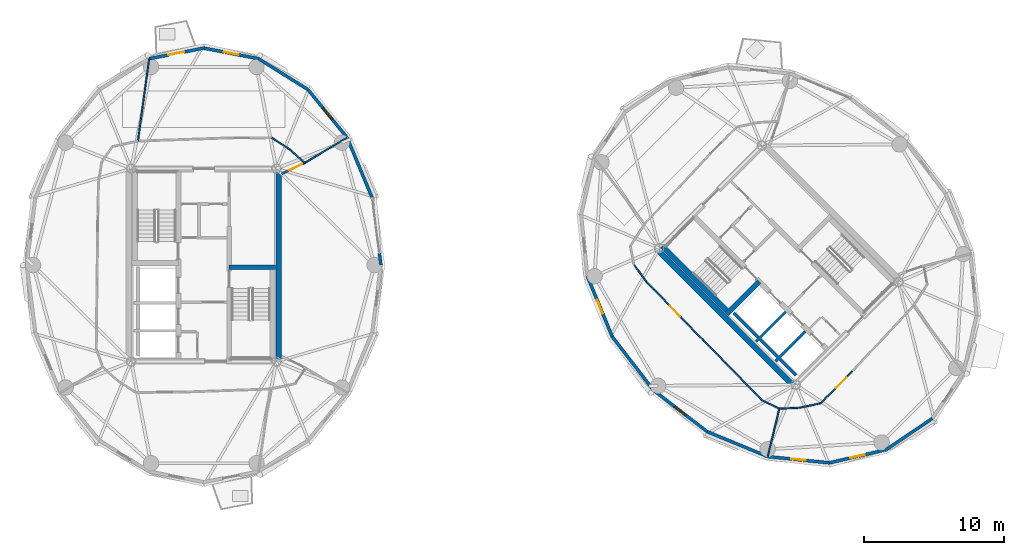
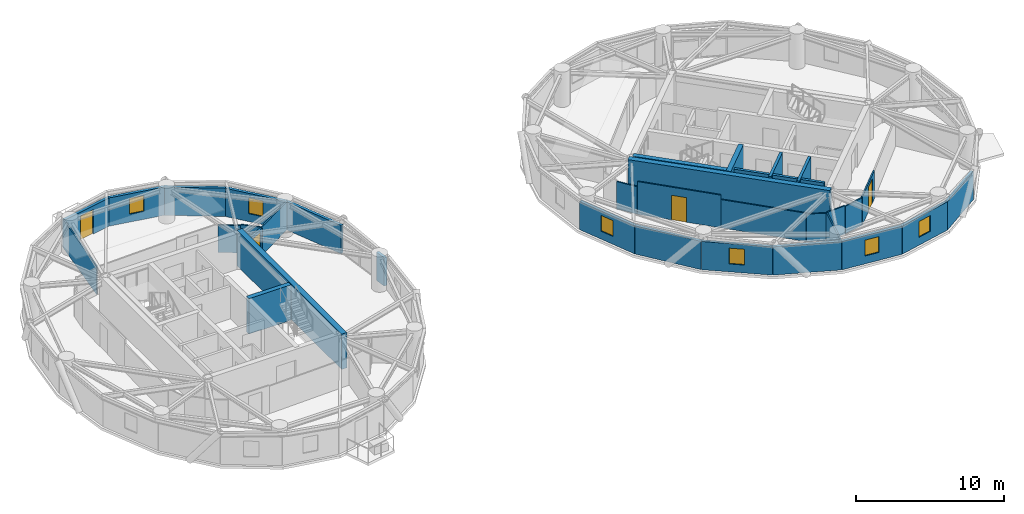
# One storey, part 9 of 15: 36 walls, 6 windows, 4 doors, 10 openings.
"""IFC4 building model written with IfcOpenShell, lengths in metres."""

from ifc_helpers import new_model, si_unit, direction, frame, frame_2d, origin, place, context, subcontext, project, spatial, rectangle, extrude, source, transform, mapped, material, layer, layer_set, type_object, element, fill, save


model = new_model("IFC4")

# Units and contexts
model_context = context("Model", 3, precision=1e-05, world=origin(), true_north=direction((0.0, 1.0)))
body_context = subcontext(model_context, "Body", "Model", "MODEL_VIEW")
ifc_project = project(units=[si_unit("LENGTHUNIT", "METRE"), si_unit("AREAUNIT", "SQUARE_METRE"), si_unit("VOLUMEUNIT", "CUBIC_METRE"), si_unit("PLANEANGLEUNIT", "RADIAN"), si_unit("MASSUNIT", "GRAM", prefix="KILO")], contexts=[model_context])

# Site, building, storey
site_placement = place(None, origin())
site = spatial("IfcSite", under=ifc_project, at=site_placement, CompositionType="ELEMENT")
building_placement = place(site_placement, origin())
building = spatial("IfcBuilding", under=site, at=building_placement, Name="Cununo Teusaquillo Station Towers", CompositionType="ELEMENT")
storey_placement = place(building_placement, frame((0.0, 0.0, 199.570068359375)))
storey = spatial("IfcBuildingStorey", under=building, at=storey_placement, Name="L63", CompositionType="ELEMENT", Elevation=199.570068359375)

# Walls
ifc_material_1 = material(Name="Concrete C50/60", Category="concrete")
ifc_layer_1 = layer(ifc_material_1, 0.199951171875)
ifc_layer_set_1 = layer_set([ifc_layer_1], Name="Concrete C50/60")
wall_type_1 = type_object("IfcWallType", Name="WL-CORE-200", PredefinedType="SHEAR", material=ifc_layer_set_1)
wall_1_placement = place(storey_placement, frame((55.8876953125, 19.0693359375, 0.0), z_axis=(0.0, 0.0, 1.0), x_axis=(0.707106781187, 0.707106781187, 0.0)))
element("IfcWall", 1, at=wall_1_placement, inside=storey, type_object=wall_type_1, Name="L63 Tower B Firefighting Lift Shaft South Shear Wall", PredefinedType="SHEAR", context=body_context, shape_type="SweptSolid", body=[
    extrude(rectangle(XDim=2.969970703125, YDim=0.199951171875, at=frame_2d((1.48486328125, 0.0))), origin(), (0.0, 0.0, 1.0), 2.909912109375),
])
wall_2_placement = place(storey_placement, frame((56.01513671875, 19.366455078125, 0.0), z_axis=(0.0, 0.0, 1.0), x_axis=(-0.707106781187, 0.707106781187, 0.0)))
element("IfcWall", 2, at=wall_2_placement, inside=storey, type_object=wall_type_1, Name="L63 Tower B Firefighting Lift Shaft Rear Shear Wall", PredefinedType="SHEAR", context=body_context, shape_type="SweptSolid", body=[
    extrude(rectangle(XDim=2.43994140625, YDim=0.199951171875, at=frame_2d((1.219970703125, 0.0))), origin(), (0.0, 0.0, 1.0), 2.909912109375),
])
wall_3_placement = place(storey_placement, frame((57.2841796875, 17.6728515625, 0.0), z_axis=(0.0, 0.0, 1.0), x_axis=(0.707147878904, 0.70706568108, 0.0)))
element("IfcWall", 3, at=wall_3_placement, inside=storey, type_object=wall_type_1, Name="L63 Tower B High-Rise Lift Hoistway Divider Shear Wall", PredefinedType="SHEAR", context=body_context, shape_type="SweptSolid", body=[
    extrude(rectangle(XDim=2.97021484375, YDim=0.199951171875, at=frame_2d((1.485107421875, 0.0))), origin(), (0.0, 0.0, 1.0), 2.909912109375),
])
wall_4_placement = place(storey_placement, frame((57.41162109375, 17.969970703125, 0.0), z_axis=(0.0, 0.0, 1.0), x_axis=(-0.707106781187, 0.707106781187, 0.0)))
element("IfcWall", 4, at=wall_4_placement, inside=storey, type_object=wall_type_1, Name="L63 Tower B High-Rise Lift 2 Shaft Rear Shear Wall", PredefinedType="SHEAR", context=body_context, shape_type="SweptSolid", body=[
    extrude(rectangle(XDim=1.73486328125, YDim=0.199951171875, at=frame_2d((0.867431640625, 0.0))), origin(), (0.0, 0.0, 1.0), 2.909912109375),
])
wall_5_placement = place(storey_placement, frame((58.7373046875, 16.64404296875, 0.0), z_axis=(0.0, 0.0, 1.0), x_axis=(-0.707032117043, 0.707181437447, 0.0)))
element("IfcWall", 5, at=wall_5_placement, inside=storey, type_object=wall_type_1, Name="L63 Tower B High-Rise Lift 1 Shaft Rear Shear Wall", PredefinedType="SHEAR", context=body_context, shape_type="SweptSolid", body=[
    extrude(rectangle(XDim=1.635009765625, YDim=0.199951171875, at=frame_2d((0.8173828125, 0.0))), origin(), (0.0, 0.0, 1.0), 2.909912109375),
])
ifc_material_2 = material(Name="Concrete C50/60", Category="concrete")
ifc_layer_2 = layer(ifc_material_2, 0.35009765625)
ifc_layer_set_2 = layer_set([ifc_layer_2], Name="Concrete C50/60")
wall_type_2 = type_object("IfcWallType", Name="WL-CORE-350", PredefinedType="SHEAR", material=ifc_layer_set_2)
wall_6_placement = place(storey_placement, frame((18.31494140625, 24.344970703125, 0.0), z_axis=(0.0, 0.0, 1.0), x_axis=(1.0, 0.0, 0.0)))
element("IfcWall", 6, at=wall_6_placement, inside=storey, type_object=wall_type_2, Name="L63 Tower A Core Shear Wall ST2N", PredefinedType="SHEAR", context=body_context, shape_type="SweptSolid", body=[
    extrude(rectangle(XDim=3.28515625, YDim=0.35009765625, at=frame_2d((1.642578125, 0.0))), origin(), (0.0, 0.0, 1.0), 2.909912109375),
])
wall_7_placement = place(storey_placement, frame((53.922119140625, 21.14111328125, 0.0), z_axis=(0.0, 0.0, 1.0), x_axis=(-0.707106781187, 0.707106781187, 0.0)))
element("IfcWall", 7, at=wall_7_placement, inside=storey, type_object=wall_type_2, Name="L63 Tower B Core Shear Wall ST1W", PredefinedType="SHEAR", context=body_context, shape_type="SweptSolid", body=[
    extrude(rectangle(XDim=6.695068359375, YDim=0.35009765625, at=frame_2d((3.34765625, 0.0))), origin(), (0.0, 0.0, 1.0), 2.909912109375),
])
wall_8_placement = place(storey_placement, frame((53.7841796875, 21.00341796875, 0.0), z_axis=(0.0, 0.0, 1.0), x_axis=(0.707106781187, 0.707106781187, 0.0)))
element("IfcWall", 8, at=wall_8_placement, inside=storey, type_object=wall_type_2, Name="L63 Tower B Core Shear Wall ST1S", PredefinedType="SHEAR", context=body_context, shape_type="SweptSolid", body=[
    extrude(rectangle(XDim=3.284912109375, YDim=0.35009765625, at=frame_2d((1.642578125, 0.0))), origin(), (0.0, 0.0, 1.0), 2.909912109375),
])
ifc_material_3 = material(Name="Concrete C50/60", Category="concrete")
ifc_layer_3 = layer(ifc_material_3, 0.39990234375)
ifc_layer_set_3 = layer_set([ifc_layer_3], Name="Concrete C50/60")
wall_type_3 = type_object("IfcWallType", Name="WL-CORE-400", PredefinedType="SHEAR", material=ifc_layer_set_3)
for number, where, z_axis, x_axis, name in (
    (9, (21.85009765625, 17.449951171875, 0.0), (0.0, 0.0, 1.0), (0.0, 1.0, 0.0), "L63 Tower A Core Shear Wall E"),
    (10, (58.7021484375, 15.73193359375, 0.0), (0.0, 0.0, 1.0), (-0.707106781187, 0.707106781187, 0.0), "L63 Tower B Core Shear Wall W"),
):
    element("IfcWall", number, at=place(storey_placement, frame(where, z_axis=z_axis, x_axis=x_axis)), inside=storey, type_object=wall_type_3, Name=name, PredefinedType="SHEAR", context=body_context, shape_type="SweptSolid", body=[
        extrude(rectangle(XDim=14.10009765625, YDim=0.39990234375, at=frame_2d((7.050048828125, 0.0))), origin(), (0.0, 0.0, 1.0), 2.909912109375),
    ])
ifc_material_4 = material(Name="Precast concrete C40/50", Category="concrete")
ifc_layer_4 = layer(ifc_material_4, 0.219970703125)
ifc_layer_set_4 = layer_set([ifc_layer_4], Name="Precast concrete C40/50")
wall_type_4 = type_object("IfcWallType", Name="WL-EXT-220", PredefinedType="SOLIDWALL", material=ifc_layer_set_4)
wall_9_placement = place(storey_placement, frame((29.018310546875, 25.36279296875, 0.0), z_axis=(0.0, 0.0, 1.0), x_axis=(0.128247365719, -0.991742211054, 0.0)))
element("IfcWall", 11, at=wall_9_placement, inside=storey, type_object=wall_type_4, Name="L63 Tower A Column Pier Cladding Wall C00-PB", PredefinedType="SOLIDWALL", context=body_context, shape_type="SweptSolid", body=[
    extrude(rectangle(XDim=0.869873046875, YDim=0.219970703125, at=frame_2d((0.43505859375, 0.0))), origin(), (0.0, 0.0, 1.0), 2.322021484375),
])
wall_10_placement = place(storey_placement, frame((26.718017578125, 33.593017578125, 0.0), z_axis=(0.0, 0.0, 1.0), x_axis=(0.384036305194, -0.923317993052, 0.0)))
element("IfcWall", 12, at=wall_10_placement, inside=storey, type_object=wall_type_4, Name="L63 Tower A Exterior Facade Wall C01", PredefinedType="SOLIDWALL", context=body_context, shape_type="SweptSolid", body=[
    extrude(rectangle(XDim=4.670654296875, YDim=0.219970703125, at=frame_2d((2.33544921875, 0.0))), origin(), (0.0, 0.0, 1.0), 2.322021484375),
])

# Wall, opening, window
wall_11_placement = place(storey_placement, frame((23.923583984375, 37.015380859375, 0.0), z_axis=(0.0, 0.0, 1.0), x_axis=(0.632467166636, -0.774587169483, 0.0)))
wall_11 = element("IfcWall", 13, at=wall_11_placement, inside=storey, type_object=wall_type_4, Name="L63 Tower A Exterior Facade Wall C02", PredefinedType="SOLIDWALL", context=body_context, shape_type="SweptSolid", body=[
    extrude(rectangle(XDim=4.418212890625, YDim=0.219970703125, at=frame_2d((2.208984375, 0.0))), origin(), (0.0, 0.0, 1.0), 2.322021484375),
])
shared_shape_1 = source(origin(), body_context, "Body", "SweptSolid", [
    extrude(rectangle(XDim=1.050048828125, YDim=1.300048828125, at=frame_2d((0.52490234375, 0.64990234375))), frame((0.0, 0.119873046875, 0.0), z_axis=(0.0, -1.0, 0.0), x_axis=(1.0, 0.0, 0.0)), (0.0, 0.0, 1.0), 0.239990234375),
])
opening_1_placement = place(wall_11_placement, frame((1.68408203125, 0.0, 0.64990234375)))
opening_1 = element("IfcOpeningElement", 14, at=opening_1_placement, cuts=wall_11, Name="Opening WN-04", PredefinedType="OPENING", context=body_context, shape_type="MappedRepresentation", body=[
    mapped(shared_shape_1, transform((0.0, 0.0, 0.0), x_axis=(1.0, 0.0, 0.0), y_axis=(0.0, 1.0, 0.0), z_axis=(0.0, 0.0, 1.0), scale=1.0)),
])
ifc_material_5 = material(Name="Operable acoustic tinted low-E double glazing", Category="glass")
window_type = type_object("IfcWindowType", Name="WIN-BAL-1050", PartitioningType="SINGLE_PANEL", PredefinedType="WINDOW", material=ifc_material_5)
shared_shape_2 = source(origin(), body_context, "Body", "SweptSolid", [
    extrude(rectangle(XDim=1.050048828125, YDim=1.300048828125, at=frame_2d((0.52490234375, 0.64990234375))), frame((0.0, 0.030029296875, 0.0), z_axis=(0.0, -1.0, 0.0), x_axis=(1.0, 0.0, 0.0)), (0.0, 0.0, 1.0), 0.06005859375),
])
window_1_placement = place(opening_1_placement, origin())
window_1 = element("IfcWindow", 15, at=window_1_placement, inside=storey, type_object=window_type, Name="L63 Tower A Facade Window C02", OverallHeight=1.300048828125, OverallWidth=1.050048828125, PartitioningType="SINGLE_PANEL", PredefinedType="WINDOW", context=body_context, shape_type="MappedRepresentation", body=[
    mapped(shared_shape_2, transform((0.0, 0.0, 0.0), x_axis=(1.0, 0.0, 0.0), y_axis=(0.0, 1.0, 0.0), z_axis=(0.0, 0.0, 1.0), scale=1.0)),
])
fill(opening_1, window_1)

# Wall
wall_12_placement = place(storey_placement, frame((20.40283203125, 39.212890625, 0.0), z_axis=(0.0, 0.0, 1.0), x_axis=(0.848318713376, -0.529485939886, 0.0)))
element("IfcWall", 16, at=wall_12_placement, inside=storey, type_object=wall_type_4, Name="L63 Tower A Exterior Facade Wall C03", PredefinedType="SOLIDWALL", context=body_context, shape_type="SweptSolid", body=[
    extrude(rectangle(XDim=4.150390625, YDim=0.219970703125, at=frame_2d((2.0751953125, 0.0))), origin(), (0.0, 0.0, 1.0), 2.322021484375),
])

# Wall, opening, window
wall_13_placement = place(storey_placement, frame((16.5, 39.969970703125, 0.0), z_axis=(0.0, 0.0, 1.0), x_axis=(0.981700307484, -0.190432419211, 0.0)))
wall_13 = element("IfcWall", 17, at=wall_13_placement, inside=storey, type_object=wall_type_4, Name="L63 Tower A Exterior Facade Wall C04", PredefinedType="SOLIDWALL", context=body_context, shape_type="SweptSolid", body=[
    extrude(rectangle(XDim=3.9755859375, YDim=0.219970703125, at=frame_2d((1.98779296875, 0.0))), origin(), (0.0, 0.0, 1.0), 2.322021484375),
])
opening_2_placement = place(wall_13_placement, frame((1.462890625, 0.0, 0.64990234375)))
opening_2 = element("IfcOpeningElement", 18, at=opening_2_placement, cuts=wall_13, Name="Opening WN-04", PredefinedType="OPENING", context=body_context, shape_type="MappedRepresentation", body=[
    mapped(shared_shape_1, transform((0.0, 0.0, 0.0), x_axis=(1.0, 0.0, 0.0), y_axis=(0.0, 1.0, 0.0), z_axis=(0.0, 0.0, 1.0), scale=1.0)),
])
window_2_placement = place(opening_2_placement, origin())
window_2 = element("IfcWindow", 19, at=window_2_placement, inside=storey, type_object=window_type, Name="L63 Tower A Facade Window C04", OverallHeight=1.300048828125, OverallWidth=1.050048828125, PartitioningType="SINGLE_PANEL", PredefinedType="WINDOW", context=body_context, shape_type="MappedRepresentation", body=[
    mapped(shared_shape_2, transform((0.0, 0.0, 0.0), x_axis=(1.0, 0.0, 0.0), y_axis=(0.0, 1.0, 0.0), z_axis=(0.0, 0.0, 1.0), scale=1.0)),
])
fill(opening_2, window_2)

# Wall, opening, door
wall_14_placement = place(storey_placement, frame((12.59716796875, 39.212890625, 0.0), z_axis=(0.0, 0.0, 1.0), x_axis=(0.981700307484, 0.190432419211, 0.0)))
wall_14 = element("IfcWall", 20, at=wall_14_placement, inside=storey, type_object=wall_type_4, Name="L63 Tower A Exterior Facade Wall C05", PredefinedType="SOLIDWALL", context=body_context, shape_type="SweptSolid", body=[
    extrude(rectangle(XDim=3.9755859375, YDim=0.219970703125, at=frame_2d((1.98779296875, 0.0))), origin(), (0.0, 0.0, 1.0), 2.322021484375),
])
shared_shape_3 = source(origin(), body_context, "Body", "SweptSolid", [
    extrude(rectangle(XDim=1.14990234375, YDim=2.0048828125, at=frame_2d((0.574951171875, 1.00244140625))), frame((0.0, 0.119873046875, 0.0), z_axis=(0.0, -1.0, 0.0), x_axis=(1.0, 0.0, 0.0)), (0.0, 0.0, 1.0), 0.239990234375),
])
opening_3_placement = place(wall_14_placement, frame((1.4130859375, 0.0, 0.0)))
opening_3 = element("IfcOpeningElement", 21, at=opening_3_placement, cuts=wall_14, Name="Opening ED-03", PredefinedType="OPENING", context=body_context, shape_type="MappedRepresentation", body=[
    mapped(shared_shape_3, transform((0.0, 0.0, 0.0), x_axis=(1.0, 0.0, 0.0), y_axis=(0.0, 1.0, 0.0), z_axis=(0.0, 0.0, 1.0), scale=1.0)),
])
ifc_material_6 = material(Name="Anodised dark bronze aluminium EN AW-6063-T6", Category="aluminium")
door_type_1 = type_object("IfcDoorType", Name="DR-EXT-BAL", OperationType="NOTDEFINED", PredefinedType="DOOR", material=ifc_material_6)
shared_shape_4 = source(origin(), body_context, "Body", "SweptSolid", [
    extrude(rectangle(XDim=1.14990234375, YDim=2.0048828125, at=frame_2d((0.574951171875, 1.00244140625))), frame((0.0, 0.02490234375, 0.0), z_axis=(0.0, -1.0, 0.0), x_axis=(1.0, 0.0, 0.0)), (0.0, 0.0, 1.0), 0.050048828125),
])
door_1_placement = place(opening_3_placement, origin())
door_1 = element("IfcDoor", 22, at=door_1_placement, inside=storey, type_object=door_type_1, Name="L63 Tower A Tree Balcony Door C05", OperationType="SINGLE_SWING_LEFT", OverallHeight=2.0048828125, OverallWidth=1.14990234375, PredefinedType="DOOR", context=body_context, shape_type="MappedRepresentation", body=[
    mapped(shared_shape_4, transform((0.0, 0.0, 0.0), x_axis=(1.0, 0.0, 0.0), y_axis=(0.0, 1.0, 0.0), z_axis=(0.0, 0.0, 1.0), scale=1.0)),
])
fill(opening_3, door_1)

# Wall, opening, window
wall_15_placement = place(storey_placement, frame((45.626220703125, 19.38671875, 0.0), z_axis=(0.0, 0.0, 1.0), x_axis=(-0.381309704956, 0.924447353237, 0.0)))
wall_15 = element("IfcWall", 23, at=wall_15_placement, inside=storey, type_object=wall_type_4, Name="L63 Tower B Exterior Facade Wall C08", PredefinedType="SOLIDWALL", context=body_context, shape_type="SweptSolid", body=[
    extrude(rectangle(XDim=4.670654296875, YDim=0.219970703125, at=frame_2d((2.33544921875, 0.0))), origin(), (0.0, 0.0, 1.0), 2.322021484375),
])
opening_4_placement = place(wall_15_placement, frame((1.81005859375, 0.0, 0.64990234375)))
opening_4 = element("IfcOpeningElement", 24, at=opening_4_placement, cuts=wall_15, Name="Opening WN-04", PredefinedType="OPENING", context=body_context, shape_type="MappedRepresentation", body=[
    mapped(shared_shape_1, transform((0.0, 0.0, 0.0), x_axis=(1.0, 0.0, 0.0), y_axis=(0.0, 1.0, 0.0), z_axis=(0.0, 0.0, 1.0), scale=1.0)),
])
window_3_placement = place(opening_4_placement, origin())
window_3 = element("IfcWindow", 25, at=window_3_placement, inside=storey, type_object=window_type, Name="L63 Tower B Facade Window C08", OverallHeight=1.300048828125, OverallWidth=1.050048828125, PartitioningType="SINGLE_PANEL", PredefinedType="WINDOW", context=body_context, shape_type="MappedRepresentation", body=[
    mapped(shared_shape_2, transform((0.0, 0.0, 0.0), x_axis=(1.0, 0.0, 0.0), y_axis=(0.0, 1.0, 0.0), z_axis=(0.0, 0.0, 1.0), scale=1.0)),
])
fill(opening_4, window_3)

# Wall
wall_16_placement = place(storey_placement, frame((48.569091796875, 15.569091796875, 0.0), z_axis=(0.0, 0.0, 1.0), x_axis=(-0.610523083886, 0.791998462147, 0.0)))
element("IfcWall", 26, at=wall_16_placement, inside=storey, type_object=wall_type_4, Name="L63 Tower B Exterior Facade Wall C09", PredefinedType="SOLIDWALL", context=body_context, shape_type="SweptSolid", body=[
    extrude(rectangle(XDim=4.8203125, YDim=0.219970703125, at=frame_2d((2.41015625, 0.0))), origin(), (0.0, 0.0, 1.0), 2.322021484375),
])

# Wall, opening, window
wall_17_placement = place(storey_placement, frame((52.38671875, 12.626220703125, 0.0), z_axis=(0.0, 0.0, 1.0), x_axis=(-0.791998462147, 0.610523083886, 0.0)))
wall_17 = element("IfcWall", 27, at=wall_17_placement, inside=storey, type_object=wall_type_4, Name="L63 Tower B Exterior Facade Wall C10", PredefinedType="SOLIDWALL", context=body_context, shape_type="SweptSolid", body=[
    extrude(rectangle(XDim=4.8203125, YDim=0.219970703125, at=frame_2d((2.41015625, 0.0))), origin(), (0.0, 0.0, 1.0), 2.322021484375),
])
opening_5_placement = place(wall_17_placement, frame((1.885009765625, 0.0, 0.64990234375)))
opening_5 = element("IfcOpeningElement", 28, at=opening_5_placement, cuts=wall_17, Name="Opening WN-04", PredefinedType="OPENING", context=body_context, shape_type="MappedRepresentation", body=[
    mapped(shared_shape_1, transform((0.0, 0.0, 0.0), x_axis=(1.0, 0.0, 0.0), y_axis=(0.0, 1.0, 0.0), z_axis=(0.0, 0.0, 1.0), scale=1.0)),
])
window_4_placement = place(opening_5_placement, origin())
window_4 = element("IfcWindow", 29, at=window_4_placement, inside=storey, type_object=window_type, Name="L63 Tower B Facade Window C10", OverallHeight=1.300048828125, OverallWidth=1.050048828125, PartitioningType="SINGLE_PANEL", PredefinedType="WINDOW", context=body_context, shape_type="MappedRepresentation", body=[
    mapped(shared_shape_2, transform((0.0, 0.0, 0.0), x_axis=(1.0, 0.0, 0.0), y_axis=(0.0, 1.0, 0.0), z_axis=(0.0, 0.0, 1.0), scale=1.0)),
])
fill(opening_5, window_4)

# Wall
wall_18_placement = place(storey_placement, frame((56.70458984375, 10.84521484375, 0.0), z_axis=(0.0, 0.0, 1.0), x_axis=(-0.924447353237, 0.381309704956, 0.0)))
element("IfcWall", 30, at=wall_18_placement, inside=storey, type_object=wall_type_4, Name="L63 Tower B Exterior Facade Wall C11", PredefinedType="SOLIDWALL", context=body_context, shape_type="SweptSolid", body=[
    extrude(rectangle(XDim=4.670654296875, YDim=0.219970703125, at=frame_2d((2.33544921875, 0.0))), origin(), (0.0, 0.0, 1.0), 2.322021484375),
])

# Wall, opening, window
wall_19_placement = place(storey_placement, frame((61.100341796875, 10.40087890625, 0.0), z_axis=(0.0, 0.0, 1.0), x_axis=(-0.994929930991, 0.100570534541, 0.0)))
wall_19 = element("IfcWall", 31, at=wall_19_placement, inside=storey, type_object=wall_type_4, Name="L63 Tower B Exterior Facade Wall C12", PredefinedType="SOLIDWALL", context=body_context, shape_type="SweptSolid", body=[
    extrude(rectangle(XDim=4.418212890625, YDim=0.219970703125, at=frame_2d((2.208984375, 0.0))), origin(), (0.0, 0.0, 1.0), 2.322021484375),
])
opening_6_placement = place(wall_19_placement, frame((1.68408203125, 0.0, 0.64990234375)))
opening_6 = element("IfcOpeningElement", 32, at=opening_6_placement, cuts=wall_19, Name="Opening WN-04", PredefinedType="OPENING", context=body_context, shape_type="MappedRepresentation", body=[
    mapped(shared_shape_1, transform((0.0, 0.0, 0.0), x_axis=(1.0, 0.0, 0.0), y_axis=(0.0, 1.0, 0.0), z_axis=(0.0, 0.0, 1.0), scale=1.0)),
])
window_5_placement = place(opening_6_placement, origin())
window_5 = element("IfcWindow", 33, at=window_5_placement, inside=storey, type_object=window_type, Name="L63 Tower B Facade Window C12", OverallHeight=1.300048828125, OverallWidth=1.050048828125, PartitioningType="SINGLE_PANEL", PredefinedType="WINDOW", context=body_context, shape_type="MappedRepresentation", body=[
    mapped(shared_shape_2, transform((0.0, 0.0, 0.0), x_axis=(1.0, 0.0, 0.0), y_axis=(0.0, 1.0, 0.0), z_axis=(0.0, 0.0, 1.0), scale=1.0)),
])
fill(opening_6, window_5)

wall_20_placement = place(storey_placement, frame((65.143798828125, 11.336669921875, 0.0), z_axis=(0.0, 0.0, 1.0), x_axis=(-0.974249228678, -0.225473813158, 0.0)))
wall_20 = element("IfcWall", 34, at=wall_20_placement, inside=storey, type_object=wall_type_4, Name="L63 Tower B Exterior Facade Wall C13", PredefinedType="SOLIDWALL", context=body_context, shape_type="SweptSolid", body=[
    extrude(rectangle(XDim=4.150390625, YDim=0.219970703125, at=frame_2d((2.0751953125, 0.0))), origin(), (0.0, 0.0, 1.0), 2.322021484375),
])
opening_7_placement = place(wall_20_placement, frame((1.550048828125, 0.0, 0.64990234375)))
opening_7 = element("IfcOpeningElement", 35, at=opening_7_placement, cuts=wall_20, Name="Opening WN-04", PredefinedType="OPENING", context=body_context, shape_type="MappedRepresentation", body=[
    mapped(shared_shape_1, transform((0.0, 0.0, 0.0), x_axis=(1.0, 0.0, 0.0), y_axis=(0.0, 1.0, 0.0), z_axis=(0.0, 0.0, 1.0), scale=1.0)),
])
window_6_placement = place(opening_7_placement, origin())
window_6 = element("IfcWindow", 36, at=window_6_placement, inside=storey, type_object=window_type, Name="L63 Tower B Facade Window C13", OverallHeight=1.300048828125, OverallWidth=1.050048828125, PartitioningType="SINGLE_PANEL", PredefinedType="WINDOW", context=body_context, shape_type="MappedRepresentation", body=[
    mapped(shared_shape_2, transform((0.0, 0.0, 0.0), x_axis=(1.0, 0.0, 0.0), y_axis=(0.0, 1.0, 0.0), z_axis=(0.0, 0.0, 1.0), scale=1.0)),
])
fill(opening_7, window_6)

# Walls
wall_21_placement = place(storey_placement, frame((68.43896484375, 13.56103515625, 0.0), z_axis=(0.0, 0.0, 1.0), x_axis=(-0.828833723692, -0.559495003079, 0.0)))
element("IfcWall", 37, at=wall_21_placement, inside=storey, type_object=wall_type_4, Name="L63 Tower B Exterior Facade Wall C14", PredefinedType="SOLIDWALL", context=body_context, shape_type="SweptSolid", body=[
    extrude(rectangle(XDim=3.9755859375, YDim=0.219970703125, at=frame_2d((1.98779296875, 0.0))), origin(), (0.0, 0.0, 1.0), 2.322021484375),
])
ifc_material_7 = material(Name="Fire-rated gypsum plasterboard partition assembly", Category="gypsum")
ifc_layer_5 = layer(ifc_material_7, 0.10009765625)
ifc_layer_set_5 = layer_set([ifc_layer_5], Name="Fire-rated gypsum plasterboard partition assembly")
wall_type_5 = type_object("IfcWallType", Name="WL-PART-100", PredefinedType="MOVABLE", material=ifc_layer_set_5)
wall_22_placement = place(storey_placement, frame((23.701416015625, 31.78564453125, 0.0), z_axis=(0.0, 0.0, 1.0), x_axis=(-0.743742806382, 0.668465883913, 0.0)))
element("IfcWall", 38, at=wall_22_placement, inside=storey, type_object=wall_type_5, Name="L63 Tower A Corridor Ring Wall C02", PredefinedType="MOVABLE", context=body_context, shape_type="SweptSolid", body=[
    extrude(rectangle(XDim=1.43359375, YDim=0.10009765625, at=frame_2d((0.716796875, 0.0))), origin(), (0.0, 0.0, 1.0), 2.322021484375),
])
wall_23_placement = place(storey_placement, frame((22.63525390625, 32.743896484375, 0.0), z_axis=(0.0, 0.0, 1.0), x_axis=(-0.840119270642, 0.542401706391, 0.0)))
element("IfcWall", 39, at=wall_23_placement, inside=storey, type_object=wall_type_5, Name="L63 Tower A Corridor Ring Wall C03", PredefinedType="MOVABLE", context=body_context, shape_type="SweptSolid", body=[
    extrude(rectangle(XDim=1.53759765625, YDim=0.10009765625, at=frame_2d((0.768798828125, 0.0))), origin(), (0.0, 0.0, 1.0), 2.2548828125),
])
wall_24_placement = place(storey_placement, frame((23.701416015625, 31.78564453125, 0.0), z_axis=(0.0, 0.0, 1.0), x_axis=(0.858059206709, 0.513550774298, 0.0)))
element("IfcWall", 40, at=wall_24_placement, inside=storey, type_object=wall_type_5, Name="L63 Tower A Radial Suite Partition R01", PredefinedType="MOVABLE", context=body_context, shape_type="SweptSolid", body=[
    extrude(rectangle(XDim=3.49658203125, YDim=0.10009765625, at=frame_2d((1.748291015625, 0.0))), origin(), (0.0, 0.0, 1.0), 2.322021484375),
])
wall_25_placement = place(storey_placement, frame((11.80322265625, 33.341796875, 0.0), z_axis=(0.0, 0.0, 1.0), x_axis=(0.135452591041, 0.990783828885, 0.0)))
element("IfcWall", 41, at=wall_25_placement, inside=storey, type_object=wall_type_5, Name="L63 Tower A Radial Suite Partition R02", PredefinedType="MOVABLE", context=body_context, shape_type="SweptSolid", body=[
    extrude(rectangle(XDim=5.906494140625, YDim=0.10009765625, at=frame_2d((2.953125, 0.0))), origin(), (0.0, 0.0, 1.0), 2.322021484375),
])
wall_26_placement = place(storey_placement, frame((47.162841796875, 24.539794921875, 0.0), z_axis=(0.0, 0.0, 1.0), x_axis=(0.589711902124, -0.807613690135, 0.0)))
element("IfcWall", 42, at=wall_26_placement, inside=storey, type_object=wall_type_5, Name="L63 Tower B Corridor Ring Wall C08", PredefinedType="MOVABLE", context=body_context, shape_type="SweptSolid", body=[
    extrude(rectangle(XDim=1.507080078125, YDim=0.10009765625, at=frame_2d((0.75341796875, 0.0))), origin(), (0.0, 0.0, 1.0), 2.2548828125),
])

# Wall, opening, door
wall_27_placement = place(storey_placement, frame((48.051513671875, 23.32275390625, 0.0), z_axis=(0.0, 0.0, 1.0), x_axis=(0.696573981306, -0.717484974454, 0.0)))
wall_27 = element("IfcWall", 43, at=wall_27_placement, inside=storey, type_object=wall_type_5, Name="L63 Tower B Corridor Ring Wall C09", PredefinedType="MOVABLE", context=body_context, shape_type="SweptSolid", body=[
    extrude(rectangle(XDim=5.849365234375, YDim=0.10009765625, at=frame_2d((2.9248046875, 0.0))), origin(), (0.0, 0.0, 1.0), 2.684814453125),
])
shared_shape_5 = source(origin(), body_context, "Body", "SweptSolid", [
    extrude(rectangle(XDim=1.050048828125, YDim=2.014892578125, at=frame_2d((0.52490234375, 1.00732421875))), frame((0.0, 0.06005859375, 0.0), z_axis=(0.0, -1.0, 0.0), x_axis=(1.0, 0.0, 0.0)), (0.0, 0.0, 1.0), 0.1201171875),
])
opening_8_placement = place(wall_27_placement, frame((2.399658203125, 0.0, 0.0)))
opening_8 = element("IfcOpeningElement", 44, at=opening_8_placement, cuts=wall_27, Name="Opening D-SU1", PredefinedType="OPENING", context=body_context, shape_type="MappedRepresentation", body=[
    mapped(shared_shape_5, transform((0.0, 0.0, 0.0), x_axis=(1.0, 0.0, 0.0), y_axis=(0.0, 1.0, 0.0), z_axis=(0.0, 0.0, 1.0), scale=1.0)),
])
ifc_material_8 = material(Name="Acoustic solid-core hardwood leaf assembly", Category="wood")
door_type_2 = type_object("IfcDoorType", Name="DR-SUITE-1050", OperationType="NOTDEFINED", PredefinedType="DOOR", material=ifc_material_8)
shared_shape_6 = source(origin(), body_context, "Body", "SweptSolid", [
    extrude(rectangle(XDim=1.050048828125, YDim=2.014892578125, at=frame_2d((0.52490234375, 1.00732421875))), frame((0.0, 0.02490234375, 0.0), z_axis=(0.0, -1.0, 0.0), x_axis=(1.0, 0.0, 0.0)), (0.0, 0.0, 1.0), 0.050048828125),
])
door_2_placement = place(opening_8_placement, origin())
door_2 = element("IfcDoor", 45, at=door_2_placement, inside=storey, type_object=door_type_2, Name="L63 Tower B Sovereign Advisory Boardroom Entrance Door", OperationType="SINGLE_SWING_LEFT", OverallHeight=2.014892578125, OverallWidth=1.050048828125, PredefinedType="DOOR", context=body_context, shape_type="MappedRepresentation", body=[
    mapped(shared_shape_6, transform((0.0, 0.0, 0.0), x_axis=(1.0, 0.0, 0.0), y_axis=(0.0, 1.0, 0.0), z_axis=(0.0, 0.0, 1.0), scale=1.0)),
])
fill(opening_8, door_2)

# Walls
wall_28_placement = place(storey_placement, frame((52.1259765625, 19.1259765625, 0.0), z_axis=(0.0, 0.0, 1.0), x_axis=(0.698979087027, -0.715142108884, 0.0)))
element("IfcWall", 46, at=wall_28_placement, inside=storey, type_object=wall_type_5, Name="L63 Tower B Corridor Ring Wall C10", PredefinedType="MOVABLE", context=body_context, shape_type="SweptSolid", body=[
    extrude(rectangle(XDim=5.96630859375, YDim=0.10009765625, at=frame_2d((2.983154296875, 0.0))), origin(), (0.0, 0.0, 1.0), 2.322021484375),
])
wall_29_placement = place(storey_placement, frame((56.29638671875, 14.859130859375, 0.0), z_axis=(0.0, 0.0, 1.0), x_axis=(0.90178292445, -0.432189260823, 0.0)))
element("IfcWall", 47, at=wall_29_placement, inside=storey, type_object=wall_type_5, Name="L63 Tower B Corridor Ring Wall C11", PredefinedType="MOVABLE", context=body_context, shape_type="SweptSolid", body=[
    extrude(rectangle(XDim=1.377197265625, YDim=0.10009765625, at=frame_2d((0.6884765625, 0.0))), origin(), (0.0, 0.0, 1.0), 2.2548828125),
])
wall_30_placement = place(storey_placement, frame((57.538330078125, 14.263916015625, 0.0), z_axis=(0.0, 0.0, 1.0), x_axis=(0.99892990172, 0.046249880546, 0.0)))
element("IfcWall", 48, at=wall_30_placement, inside=storey, type_object=wall_type_5, Name="L63 Tower B Corridor Ring Wall C12", PredefinedType="MOVABLE", context=body_context, shape_type="SweptSolid", body=[
    extrude(rectangle(XDim=1.4462890625, YDim=0.10009765625, at=frame_2d((0.72314453125, 0.0))), origin(), (0.0, 0.0, 1.0), 2.322021484375),
])
wall_31_placement = place(storey_placement, frame((58.983154296875, 14.330810546875, 0.0), z_axis=(0.0, 0.0, 1.0), x_axis=(0.978328007546, 0.207061125397, 0.0)))
element("IfcWall", 49, at=wall_31_placement, inside=storey, type_object=wall_type_5, Name="L63 Tower B Corridor Ring Wall C13", PredefinedType="MOVABLE", context=body_context, shape_type="SweptSolid", body=[
    extrude(rectangle(XDim=1.533935546875, YDim=0.10009765625, at=frame_2d((0.76708984375, 0.0))), origin(), (0.0, 0.0, 1.0), 2.2548828125),
])

# Wall, opening, door
wall_32_placement = place(storey_placement, frame((60.48388671875, 14.6484375, 0.0), z_axis=(0.0, 0.0, 1.0), x_axis=(0.703398221944, 0.710795991383, 0.0)))
wall_32 = element("IfcWall", 50, at=wall_32_placement, inside=storey, type_object=wall_type_5, Name="L63 Tower B Corridor Ring Wall C14", PredefinedType="MOVABLE", context=body_context, shape_type="SweptSolid", body=[
    extrude(rectangle(XDim=3.201171875, YDim=0.10009765625, at=frame_2d((1.6005859375, 0.0))), origin(), (0.0, 0.0, 1.0), 2.322021484375),
])
opening_9_placement = place(wall_32_placement, frame((1.553466796875, 0.0, 0.0)))
opening_9 = element("IfcOpeningElement", 51, at=opening_9_placement, cuts=wall_32, Name="Opening D-SU1", PredefinedType="OPENING", context=body_context, shape_type="MappedRepresentation", body=[
    mapped(shared_shape_5, transform((0.0, 0.0, 0.0), x_axis=(1.0, 0.0, 0.0), y_axis=(0.0, 1.0, 0.0), z_axis=(0.0, 0.0, 1.0), scale=1.0)),
])
door_3_placement = place(opening_9_placement, origin())
door_3 = element("IfcDoor", 52, at=door_3_placement, inside=storey, type_object=door_type_2, Name="L63 Tower B Summit Client Reception Salon Entrance Door", OperationType="SINGLE_SWING_RIGHT", OverallHeight=2.014892578125, OverallWidth=1.050048828125, PredefinedType="DOOR", context=body_context, shape_type="MappedRepresentation", body=[
    mapped(shared_shape_6, transform((0.0, 0.0, 0.0), x_axis=(1.0, 0.0, 0.0), y_axis=(0.0, 1.0, 0.0), z_axis=(0.0, 0.0, 1.0), scale=1.0)),
])
fill(opening_9, door_3)

# Wall
wall_33_placement = place(storey_placement, frame((57.538330078125, 14.263916015625, 0.0), z_axis=(0.0, 0.0, 1.0), x_axis=(-0.237377006249, -0.971417601706, 0.0)))
element("IfcWall", 53, at=wall_33_placement, inside=storey, type_object=wall_type_5, Name="L63 Tower B Radial Suite Partition R03", PredefinedType="MOVABLE", context=body_context, shape_type="SweptSolid", body=[
    extrude(rectangle(XDim=3.4990234375, YDim=0.10009765625, at=frame_2d((1.74951171875, 0.0))), origin(), (0.0, 0.0, 1.0), 2.322021484375),
])

# Wall, opening, door
ifc_material_9 = material(Name="Fire-rated gypsum plasterboard partition assembly", Category="gypsum")
ifc_layer_6 = layer(ifc_material_9, 0.159912109375)
ifc_layer_set_6 = layer_set([ifc_layer_6], Name="Fire-rated gypsum plasterboard partition assembly")
wall_type_6 = type_object("IfcWallType", Name="WL-PART-160", PredefinedType="PARTITIONING", material=ifc_layer_set_6)
wall_34_placement = place(storey_placement, frame((22.050048828125, 31.0, 0.0), z_axis=(0.0, 0.0, 1.0), x_axis=(0.903013459407, 0.429612257891, 0.0)))
wall_34 = element("IfcWall", 54, at=wall_34_placement, inside=storey, type_object=wall_type_6, Name="L63 Tower A East Salon Corridor Portal Wall NE", PredefinedType="PARTITIONING", context=body_context, shape_type="SweptSolid", body=[
    extrude(rectangle(XDim=1.82861328125, YDim=0.159912109375, at=frame_2d((0.914306640625, 0.0))), origin(), (0.0, 0.0, 1.0), 2.2548828125),
])
shared_shape_7 = source(origin(), body_context, "Body", "SweptSolid", [
    extrude(rectangle(XDim=1.050048828125, YDim=2.014892578125, at=frame_2d((0.52490234375, 1.00732421875))), frame((0.0, 0.08984375, 0.0), z_axis=(0.0, -1.0, 0.0), x_axis=(1.0, 0.0, 0.0)), (0.0, 0.0, 1.0), 0.179931640625),
])
opening_10_placement = place(wall_34_placement, frame((0.57861328125, 0.0, 0.0)))
opening_10 = element("IfcOpeningElement", 55, at=opening_10_placement, cuts=wall_34, Name="Opening D-SU1", PredefinedType="OPENING", context=body_context, shape_type="MappedRepresentation", body=[
    mapped(shared_shape_7, transform((0.0, 0.0, 0.0), x_axis=(1.0, 0.0, 0.0), y_axis=(0.0, 1.0, 0.0), z_axis=(0.0, 0.0, 1.0), scale=1.0)),
])
door_4_placement = place(opening_10_placement, origin())
door_4 = element("IfcDoor", 56, at=door_4_placement, inside=storey, type_object=door_type_2, Name="L63 Tower A East Panorama Sky Salon Door NE", OperationType="SINGLE_SWING_LEFT", OverallHeight=2.014892578125, OverallWidth=1.050048828125, PredefinedType="DOOR", context=body_context, shape_type="MappedRepresentation", body=[
    mapped(shared_shape_6, transform((0.0, 0.0, 0.0), x_axis=(1.0, 0.0, 0.0), y_axis=(0.0, 1.0, 0.0), z_axis=(0.0, 0.0, 1.0), scale=1.0)),
])
fill(opening_10, door_4)

save(model, "model.ifc")
